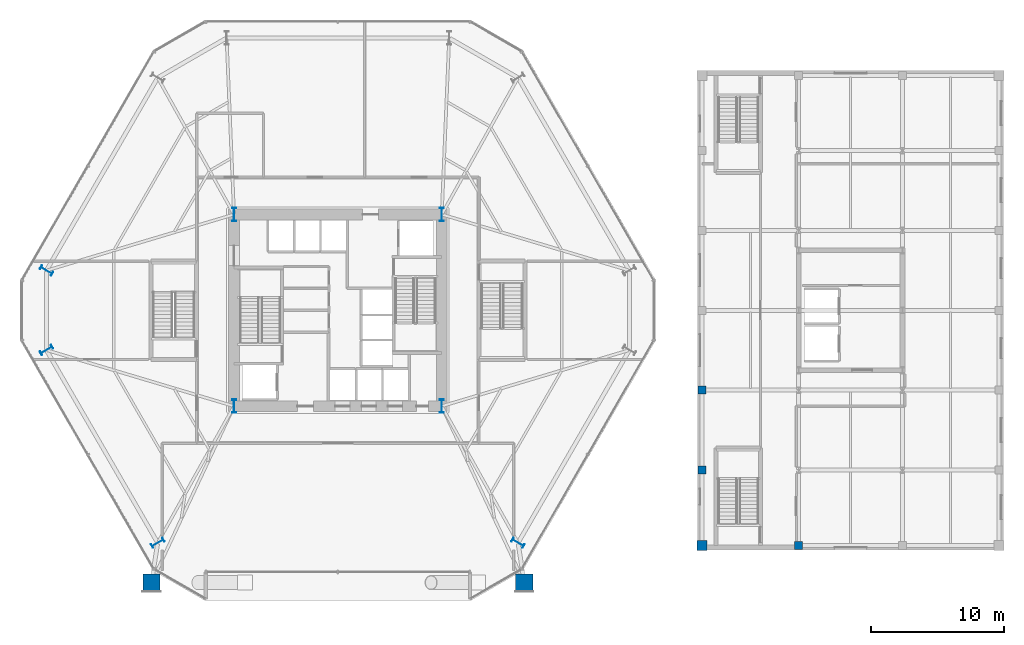
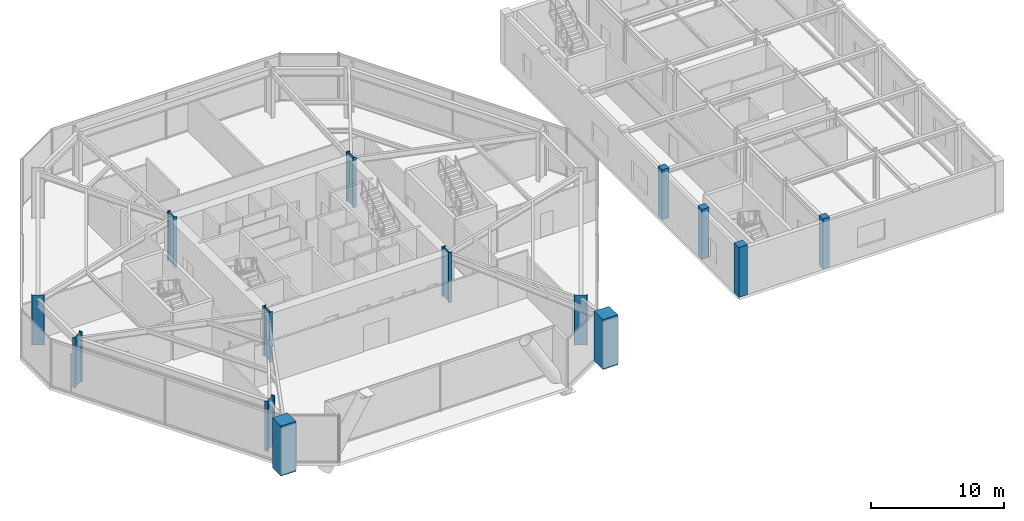
# One storey, part 1 of 23: 14 columns.
"""IFC4 building model written with IfcOpenShell, lengths in metres."""

import ifcopenshell
import ifcopenshell.guid

model = None  # the IFC model being written
_history = None  # IfcOwnerHistory: only IFC2X3 demands one
_inside = {}  # id of a spatial element -> (the spatial element, [elements in it])
_under = {}  # id of a project, library or spatial element -> (it, [spatial elements below it])
_declared = {}  # id of a project -> (the project, [libraries it declares])
_typed = {}  # id of a type object -> (the type object, [elements of that type])
_made_of = {}  # id of a material, layer set ... -> (it, [elements and type objects made of it])


def new_model(schema):
    """Start an empty IFC model of exactly this schema.

    Asked for "IFC4X3", IfcOpenShell would pick the latest addendum, in which some entities
    have other attributes; the version numbers below select the first issue.
    IFC2X3 requires an IfcOwnerHistory on every rooted entity: one is made here for all.
    """
    global model, _history
    if schema == "IFC4X3":
        model = ifcopenshell.file(schema_version=(4, 3, 0, 0))
    else:
        model = ifcopenshell.file(schema=schema)
    _inside.clear()
    _under.clear()
    _declared.clear()
    _typed.clear()
    _made_of.clear()
    _history = None
    if model.schema == "IFC2X3":
        org = make("IfcOrganization", Name="unknown")
        user = make(
            "IfcPersonAndOrganization",
            ThePerson=make("IfcPerson", FamilyName="unknown"),
            TheOrganization=org,
        )
        app = make(
            "IfcApplication",
            ApplicationDeveloper=org,
            Version="unknown",
            ApplicationFullName="unknown",
            ApplicationIdentifier="unknown",
        )
        _history = make(
            "IfcOwnerHistory",
            OwningUser=user,
            OwningApplication=app,
            ChangeAction="ADDED",
            CreationDate=0,
        )
    return model


def make(cls, **values):
    """One entity of the class cls with the attributes given. An attribute that is None is left unset."""
    return model.create_entity(
        cls, **{name: value for name, value in values.items() if value is not None}
    )


def rooted(cls, **values):
    """An entity with a GlobalId (a new one), such as an element, a storey or a relation."""
    return make(cls, GlobalId=ifcopenshell.guid.new(), OwnerHistory=_history, **values)


def si_unit(unit_type, name, prefix=None):
    """IfcSIUnit, for example si_unit("LENGTHUNIT", "METRE", prefix="MILLI")."""
    return make("IfcSIUnit", UnitType=unit_type, Prefix=prefix, Name=name)


def assignment(units):
    """IfcUnitAssignment: the units of a project."""
    return None if units is None else make("IfcUnitAssignment", Units=units)


def point(xyz):
    """IfcCartesianPoint."""
    return None if xyz is None else make("IfcCartesianPoint", Coordinates=xyz)


def direction(xyz):
    """IfcDirection."""
    return None if xyz is None else make("IfcDirection", DirectionRatios=xyz)


def frame(location, z_axis=None, x_axis=None):
    """IfcAxis2Placement3D, a coordinate frame: its origin and axes. An axis left out is left unset."""
    return make(
        "IfcAxis2Placement3D",
        Location=point(location),
        Axis=direction(z_axis),
        RefDirection=direction(x_axis),
    )


def frame_2d(location, x_axis=None):
    """IfcAxis2Placement2D, a coordinate frame in the plane: its origin and x axis."""
    return make(
        "IfcAxis2Placement2D", Location=point(location), RefDirection=direction(x_axis)
    )


def origin():
    """The frame at (0, 0, 0) with its axes left unset."""
    return frame((0.0, 0.0, 0.0))


def origin_2d():
    """The frame at (0, 0) in the plane with its x axis left unset."""
    return frame_2d((0.0, 0.0))


def place(relative_to, where):
    """IfcLocalPlacement: puts the frame where relative to a parent placement (None: the world)."""
    return make(
        "IfcLocalPlacement", PlacementRelTo=relative_to, RelativePlacement=where
    )


def context(
    kind, dimensions, precision=None, world=None, true_north=None, identifier=None
):
    """IfcGeometricRepresentationContext, for example the 3D "Model" context."""
    return make(
        "IfcGeometricRepresentationContext",
        ContextIdentifier=identifier,
        ContextType=kind,
        CoordinateSpaceDimension=dimensions,
        Precision=precision,
        WorldCoordinateSystem=world,
        TrueNorth=true_north,
    )


def subcontext(parent, identifier, kind, view, scale=None):
    """IfcGeometricRepresentationSubContext, for example "Body" below "Model"."""
    return make(
        "IfcGeometricRepresentationSubContext",
        ContextIdentifier=identifier,
        ContextType=kind,
        ParentContext=parent,
        TargetScale=scale,
        TargetView=view,
    )


def project(units=None, contexts=None):
    """IfcProject with its units and contexts."""
    return rooted(
        "IfcProject",
        Name="project",
        RepresentationContexts=contexts,
        UnitsInContext=assignment(units),
    )


def spatial(cls, under=None, at=None, **own):
    """A site, building, storey or space (cls), placed at a placement, below another one or the project."""
    s = rooted(cls, ObjectPlacement=at, **own)
    if under is not None:
        _under.setdefault(under.id(), (under, []))[1].append(s)
    return s


def profile(cls, at=None, kind="AREA", **sizes):
    """A parametric profile (cls). Its sizes go by their IFC names, for example OverallWidth=200.0."""
    return make(cls, ProfileType=kind, Position=at, **sizes)


def rectangle(**sizes):
    """IfcRectangleProfileDef."""
    return profile("IfcRectangleProfileDef", **sizes)


def i_section(**sizes):
    """IfcIShapeProfileDef."""
    return profile("IfcIShapeProfileDef", **sizes)


def extrude(swept, where, along, depth):
    """IfcExtrudedAreaSolid: the profile swept, set in the frame where, extruded along a direction by depth."""
    return make(
        "IfcExtrudedAreaSolid",
        SweptArea=swept,
        Position=where,
        ExtrudedDirection=direction(along),
        Depth=depth,
    )


def shape(context_of_items, identifier, shape_type, items):
    """IfcShapeRepresentation: the items that make up one representation, for example the "Body"."""
    return make(
        "IfcShapeRepresentation",
        ContextOfItems=context_of_items,
        RepresentationIdentifier=identifier,
        RepresentationType=shape_type,
        Items=items,
    )


def material(Name=None, Category=None):
    """IfcMaterial."""
    return make("IfcMaterial", Name=Name, Category=Category)


def material_profile(
    of_material, cross_section, Name=None, Category=None, Priority=None
):
    """IfcMaterialProfile: a cross section and its material."""
    return make(
        "IfcMaterialProfile",
        Name=Name,
        Material=of_material,
        Profile=cross_section,
        Priority=Priority,
        Category=Category,
    )


def profile_set(profiles, Name=None, composite=None):
    """IfcMaterialProfileSet."""
    return make(
        "IfcMaterialProfileSet",
        Name=Name,
        MaterialProfiles=profiles,
        CompositeProfile=composite,
    )


def made_of(thing, what):
    """Note that an element or type object is made of a material, layer set ...; save() writes the relation."""
    if what is not None:
        _made_of.setdefault(what.id(), (what, []))[1].append(thing)
    return thing


def type_object(cls, material=None, **own):
    """A type object (cls), such as IfcWallType, which elements share."""
    return made_of(rooted(cls, **own), material)


def element(
    cls,
    number,
    at=None,
    inside=None,
    cuts=None,
    type_object=None,
    material=None,
    context=None,
    identifier="Body",
    shape_type=None,
    held_by="IfcProductDefinitionShape",
    body=None,
    shapes=None,
    **own,
):
    """One element of the class cls, such as IfcWall. Its Tag is "e" and its number.

    at: its placement. inside: the storey or other place that contains it. cuts: it is an
    opening in that element (IfcRelVoidsElement). A single representation is given by context,
    identifier, shape_type and body (its items); several are given by shapes. held_by: the class
    of the entity that holds the representations. save() writes the other relations.
    """
    e = rooted(cls, Tag="e%d" % number, ObjectPlacement=at, **own)
    if body is not None:
        shapes = [shape(context, identifier, shape_type, body)]
    if shapes is not None:
        e.Representation = make(held_by, Representations=shapes)
    if inside is not None:
        _inside.setdefault(inside.id(), (inside, []))[1].append(e)
    if cuts is not None:
        rooted(
            "IfcRelVoidsElement", RelatingBuildingElement=cuts, RelatedOpeningElement=e
        )
    if type_object is not None:
        _typed.setdefault(type_object.id(), (type_object, []))[1].append(e)
    return made_of(e, material)


def aggregate(whole, parts):
    """IfcRelAggregates: a whole, such as a stair, and the parts it consists of."""
    return rooted("IfcRelAggregates", RelatingObject=whole, RelatedObjects=parts)


def save(model, path):
    """Write the relations noted so far, then the file.

    IfcRelAggregates (storeys below a building ...), IfcRelContainedInSpatialStructure (elements
    in a storey), IfcRelDefinesByType, IfcRelAssociatesMaterial and IfcRelDeclares: one each for
    every whole, place, type object, material and project.
    """
    for whole, parts in _under.values():
        aggregate(whole, parts)
    for where, things in _inside.values():
        rooted(
            "IfcRelContainedInSpatialStructure",
            RelatedElements=things,
            RelatingStructure=where,
        )
    for kind, things in _typed.values():
        rooted("IfcRelDefinesByType", RelatedObjects=things, RelatingType=kind)
    for what, things in _made_of.values():
        rooted("IfcRelAssociatesMaterial", RelatedObjects=things, RelatingMaterial=what)
    for by, libraries in _declared.values():
        rooted("IfcRelDeclares", RelatingContext=by, RelatedDefinitions=libraries)
    model.write(path)


model = new_model("IFC4")

# Units and contexts
model_context = context("Model", 3, precision=1e-05, world=origin(), true_north=direction((0.0, 1.0)))
body_context = subcontext(model_context, "Body", "Model", "MODEL_VIEW")
ifc_project = project(units=[si_unit("LENGTHUNIT", "METRE"), si_unit("AREAUNIT", "SQUARE_METRE"), si_unit("VOLUMEUNIT", "CUBIC_METRE"), si_unit("PLANEANGLEUNIT", "RADIAN"), si_unit("MASSUNIT", "GRAM", prefix="KILO")], contexts=[model_context])

# Site, building, storey
site_placement = place(None, origin())
site = spatial("IfcSite", under=ifc_project, at=site_placement, CompositionType="ELEMENT")
building_placement = place(site_placement, origin())
building = spatial("IfcBuilding", under=site, at=building_placement, Name="Kranzbogen Civic Tower", CompositionType="ELEMENT")
storey_placement = place(building_placement, frame((0.0, 0.0, 9.800048828125)))
storey = spatial("IfcBuildingStorey", under=building, at=storey_placement, Name="L02", CompositionType="ELEMENT", Elevation=9.800048828125)

# Columns
ifc_material_1 = material(Name="Steel S460", Category="steel")
ifc_material_profile_1 = material_profile(ifc_material_1, i_section(OverallWidth=0.302001953125, OverallDepth=1.008056640625, WebThickness=0.02099609375, FlangeThickness=0.0400390625, at=origin_2d()), Name="HEM 1000")
ifc_profile_set_1 = profile_set([ifc_material_profile_1], Name="Steel S460")
column_type_1 = type_object("IfcColumnType", Name="Structural Column HEM 1000", PredefinedType="COLUMN", material=ifc_profile_set_1)
for number, where, z_axis, x_axis, name in (
    (1, (17.199951171875, 17.800048828125, 0.0), (0.0, 0.0, 1.0), (1.0, 0.0, 0.0), "L02 composite core corner column 1"),
    (2, (32.800048828125, 17.800048828125, 0.0), (0.0, 0.0, 1.0), (1.0, 0.0, 0.0), "L02 composite core corner column 2"),
    (3, (32.800048828125, 32.199951171875, 0.0), (0.0, 0.0, 1.0), (1.0, 0.0, 0.0), "L02 composite core corner column 3"),
    (4, (17.199951171875, 32.199951171875, 0.0), (0.0, 0.0, 1.0), (1.0, 0.0, 0.0), "L02 composite core corner column 4"),
    (5, (3.110107421875, 27.986083984375, 0.0), (0.0, 0.0, 1.0), (0.5, 0.866025403784, 0.0), "L02 tower perimeter tube column 06"),
    (6, (3.110107421875, 22.013916015625, 0.0), (0.0, 0.0, 1.0), (-0.5, 0.866025403784, 0.0), "L02 tower perimeter tube column 07"),
    (7, (11.468994140625, 7.535888671875, 0.0), (0.0, 0.0, 1.0), (-0.5, 0.866025403784, 0.0), "L02 tower perimeter tube column 08"),
    (8, (38.531005859375, 7.535888671875, 0.0), (0.0, 0.0, 1.0), (0.5, 0.866025403784, 0.0), "L02 tower perimeter tube column 11"),
):
    element("IfcColumn", number, at=place(storey_placement, frame(where, z_axis=z_axis, x_axis=x_axis)), inside=storey, type_object=column_type_1, Name=name, PredefinedType="COLUMN", context=body_context, shape_type="SweptSolid", body=[
        extrude(i_section(OverallWidth=0.302001953125, OverallDepth=1.008056640625, WebThickness=0.02099609375, FlangeThickness=0.0400390625, at=origin_2d()), origin(), (0.0, 0.0, 1.0), 4.599853515625),
    ])
ifc_material_2 = material(Name="Concrete C55/67", Category="concrete")
ifc_material_profile_2 = material_profile(ifc_material_2, rectangle(XDim=1.300048828125, YDim=1.300048828125, at=origin_2d()), Name="RC 1300x1300")
ifc_profile_set_2 = profile_set([ifc_material_profile_2], Name="Concrete C55/67")
column_type_2 = type_object("IfcColumnType", Name="Structural Column RC 1300x1300", PredefinedType="COLUMN", material=ifc_profile_set_2)
for number, where, z_axis, x_axis, name in (
    (9, (11.0, 4.550048828125, 0.0), (0.0, 0.0, 1.0), (1.0, 0.0, 0.0), "L02 portal arch corner pier 1"),
    (10, (39.0, 4.550048828125, 0.0), (0.0, 0.0, 1.0), (1.0, 0.0, 0.0), "L02 portal arch corner pier 2"),
):
    element("IfcColumn", number, at=place(storey_placement, frame(where, z_axis=z_axis, x_axis=x_axis)), inside=storey, type_object=column_type_2, Name=name, PredefinedType="COLUMN", context=body_context, shape_type="SweptSolid", body=[
        extrude(rectangle(XDim=1.300048828125, YDim=1.300048828125, at=origin_2d()), origin(), (0.0, 0.0, 1.0), 4.599853515625),
    ])
ifc_material_3 = material(Name="Concrete C40/50", Category="concrete")
ifc_material_profile_3 = material_profile(ifc_material_3, rectangle(XDim=0.60009765625, YDim=0.60009765625, at=origin_2d()), Name="RC 600x600")
ifc_profile_set_3 = profile_set([ifc_material_profile_3], Name="Concrete C40/50")
column_type_3 = type_object("IfcColumnType", Name="Structural Column RC 600x600", PredefinedType="COLUMN", material=ifc_profile_set_3)
for number, where, z_axis, x_axis, name in (
    (11, (52.35009765625, 13.0, 0.0), (0.0, 0.0, 1.0), (1.0, 0.0, 0.0), "L02 Health Centre column 10/C"),
    (12, (52.35009765625, 19.0, 0.0), (0.0, 0.0, 1.0), (1.0, 0.0, 0.0), "L02 Health Centre column 10/D"),
    (13, (59.60009765625, 7.35009765625, 0.0), (0.0, 0.0, 1.0), (1.0, 0.0, 0.0), "L02 Health Centre column 11/B"),
):
    element("IfcColumn", number, at=place(storey_placement, frame(where, z_axis=z_axis, x_axis=x_axis)), inside=storey, type_object=column_type_3, Name=name, PredefinedType="COLUMN", context=body_context, shape_type="SweptSolid", body=[
        extrude(rectangle(XDim=0.60009765625, YDim=0.60009765625, at=origin_2d()), origin(), (0.0, 0.0, 1.0), 4.599853515625),
    ])
ifc_material_profile_4 = material_profile(ifc_material_3, rectangle(XDim=0.75, YDim=0.75, at=origin_2d()), Name="RC 750x750")
ifc_profile_set_4 = profile_set([ifc_material_profile_4], Name="Concrete C40/50")
column_type_4 = type_object("IfcColumnType", Name="Structural Column RC 750x750", PredefinedType="COLUMN", material=ifc_profile_set_4)
column_placement = place(storey_placement, frame((52.35009765625, 7.35009765625, 0.0), z_axis=(0.0, 0.0, 1.0), x_axis=(1.0, 0.0, 0.0)))
element("IfcColumn", 14, at=column_placement, inside=storey, type_object=column_type_4, Name="L02 Health Centre column 10/B", PredefinedType="COLUMN", context=body_context, shape_type="SweptSolid", body=[
    extrude(rectangle(XDim=0.75, YDim=0.75, at=origin_2d()), origin(), (0.0, 0.0, 1.0), 4.599853515625),
])

save(model, "model.ifc")
